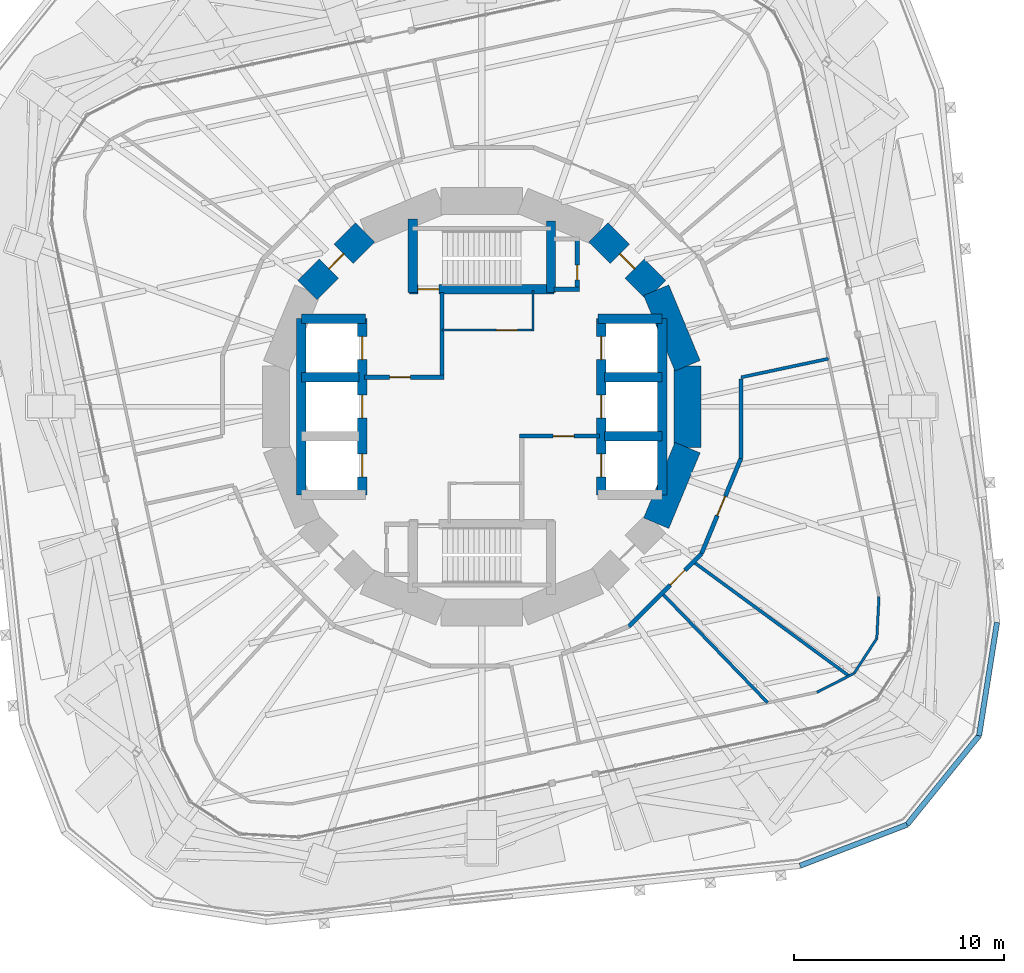
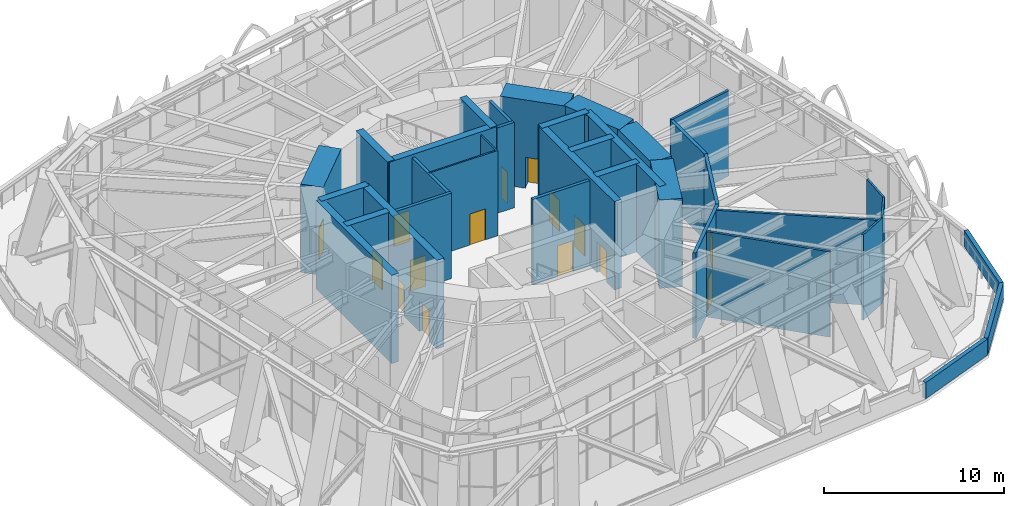
# One storey, part 16 of 23: 36 walls, 15 doors, 15 openings.
"""IFC4 building model written with IfcOpenShell, lengths in metres."""

from ifc_helpers import new_model, si_unit, direction, frame, frame_2d, origin, place, context, subcontext, project, spatial, rectangle, extrude, material, layer, layer_set, type_object, element, fill, save


model = new_model("IFC4")

# Units and contexts
model_context = context("Model", 3, precision=1e-05, world=origin(), true_north=direction((0.0, 1.0)))
body_context = subcontext(model_context, "Body", "Model", "MODEL_VIEW")
ifc_project = project(units=[si_unit("LENGTHUNIT", "METRE"), si_unit("AREAUNIT", "SQUARE_METRE"), si_unit("VOLUMEUNIT", "CUBIC_METRE"), si_unit("PLANEANGLEUNIT", "RADIAN"), si_unit("MASSUNIT", "GRAM", prefix="KILO")], contexts=[model_context])

# Site, building, storey
site_placement = place(None, origin())
site = spatial("IfcSite", under=ifc_project, at=site_placement, CompositionType="ELEMENT")
building_placement = place(site_placement, origin())
building = spatial("IfcBuilding", under=site, at=building_placement, Name="Nakasero Lantern House", CompositionType="ELEMENT")
storey_placement = place(building_placement, frame((0.0, 0.0, 95.14990234375)))
storey = spatial("IfcBuildingStorey", under=building, at=storey_placement, Name="L23", CompositionType="ELEMENT", Elevation=95.14990234375)

# Wall, openings, doors
ifc_material_1 = material(Name="Concrete C50/60", Category="concrete")
ifc_layer_1 = layer(ifc_material_1, 0.449951171875)
ifc_layer_set_1 = layer_set([ifc_layer_1], Name="Core inner wall 450")
wall_type_1 = type_object("IfcWallType", Name="Core inner wall 450", PredefinedType="SHEAR", material=ifc_layer_set_1)
wall_1_placement = place(storey_placement, frame((-5.699951171875, -4.199951171875, 0.0), z_axis=(0.0, 0.0, 1.0), x_axis=(0.0, 1.0, 0.0)))
wall_1 = element("IfcWall", 1, at=wall_1_placement, inside=storey, type_object=wall_type_1, Name="Core inner wall L23 LW", PredefinedType="SHEAR", context=body_context, shape_type="SweptSolid", body=[
    extrude(rectangle(XDim=8.39990234375, YDim=0.449951171875, at=frame_2d((4.199951171875, 0.0))), origin(), (0.0, 0.0, 1.0), 6.0),
])
opening_1_placement = place(wall_1_placement, frame((0.85009765625, 0.0, 0.0)))
opening_1 = element("IfcOpeningElement", 2, at=opening_1_placement, cuts=wall_1, Name="Opening LD", PredefinedType="OPENING", context=body_context, shape_type="SweptSolid", body=[
    extrude(rectangle(XDim=1.10009765625, YDim=2.10009765625, at=frame_2d((0.550048828125, 1.050048828125))), frame((0.0, 0.244873046875, 0.0), z_axis=(0.0, -1.0, 0.0), x_axis=(1.0, 0.0, 0.0)), (0.0, 0.0, 1.0), 0.489990234375),
])
opening_2_placement = place(wall_1_placement, frame((3.64990234375, 0.0, 0.0)))
opening_2 = element("IfcOpeningElement", 3, at=opening_2_placement, cuts=wall_1, Name="Opening LD", PredefinedType="OPENING", context=body_context, shape_type="SweptSolid", body=[
    extrude(rectangle(XDim=1.10009765625, YDim=2.10009765625, at=frame_2d((0.550048828125, 1.050048828125))), frame((0.0, 0.244873046875, 0.0), z_axis=(0.0, -1.0, 0.0), x_axis=(1.0, 0.0, 0.0)), (0.0, 0.0, 1.0), 0.489990234375),
])
opening_3_placement = place(wall_1_placement, frame((6.449951171875, 0.0, 0.0)))
opening_3 = element("IfcOpeningElement", 4, at=opening_3_placement, cuts=wall_1, Name="Opening LD", PredefinedType="OPENING", context=body_context, shape_type="SweptSolid", body=[
    extrude(rectangle(XDim=1.10009765625, YDim=2.10009765625, at=frame_2d((0.550048828125, 1.050048828125))), frame((0.0, 0.244873046875, 0.0), z_axis=(0.0, -1.0, 0.0), x_axis=(1.0, 0.0, 0.0)), (0.0, 0.0, 1.0), 0.489990234375),
])
ifc_material_2 = material(Name="Steel S355", Category="steel")
door_type_1 = type_object("IfcDoorType", Name="Lift landing door E120 1100", OperationType="SLIDING_TO_LEFT", PredefinedType="DOOR", material=ifc_material_2)
door_1_placement = place(opening_1_placement, origin())
door_1 = element("IfcDoor", 5, at=door_1_placement, inside=storey, type_object=door_type_1, Name="Lift landing door LW1", OperationType="SLIDING_TO_LEFT", OverallHeight=2.10009765625, OverallWidth=1.10009765625, PredefinedType="DOOR", context=body_context, shape_type="SweptSolid", body=[
    extrude(rectangle(XDim=1.10009765625, YDim=2.10009765625, at=frame_2d((0.550048828125, 1.050048828125))), frame((0.0, 0.02490234375, 0.0), z_axis=(0.0, -1.0, 0.0), x_axis=(1.0, 0.0, 0.0)), (0.0, 0.0, 1.0), 0.050048828125),
])
fill(opening_1, door_1)
door_2_placement = place(opening_2_placement, origin())
door_2 = element("IfcDoor", 6, at=door_2_placement, inside=storey, type_object=door_type_1, Name="Lift landing door LW2", OperationType="SLIDING_TO_LEFT", OverallHeight=2.10009765625, OverallWidth=1.10009765625, PredefinedType="DOOR", context=body_context, shape_type="SweptSolid", body=[
    extrude(rectangle(XDim=1.10009765625, YDim=2.10009765625, at=frame_2d((0.550048828125, 1.050048828125))), frame((0.0, 0.02490234375, 0.0), z_axis=(0.0, -1.0, 0.0), x_axis=(1.0, 0.0, 0.0)), (0.0, 0.0, 1.0), 0.050048828125),
])
fill(opening_2, door_2)
door_3_placement = place(opening_3_placement, origin())
door_3 = element("IfcDoor", 7, at=door_3_placement, inside=storey, type_object=door_type_1, Name="Lift landing door LW3", OperationType="SLIDING_TO_LEFT", OverallHeight=2.10009765625, OverallWidth=1.10009765625, PredefinedType="DOOR", context=body_context, shape_type="SweptSolid", body=[
    extrude(rectangle(XDim=1.10009765625, YDim=2.10009765625, at=frame_2d((0.550048828125, 1.050048828125))), frame((0.0, 0.02490234375, 0.0), z_axis=(0.0, -1.0, 0.0), x_axis=(1.0, 0.0, 0.0)), (0.0, 0.0, 1.0), 0.050048828125),
])
fill(opening_3, door_3)

wall_2_placement = place(storey_placement, frame((5.699951171875, -4.199951171875, 0.0), z_axis=(0.0, 0.0, 1.0), x_axis=(0.0, 1.0, 0.0)))
wall_2 = element("IfcWall", 8, at=wall_2_placement, inside=storey, type_object=wall_type_1, Name="Core inner wall L23 LE", PredefinedType="SHEAR", context=body_context, shape_type="SweptSolid", body=[
    extrude(rectangle(XDim=8.39990234375, YDim=0.449951171875, at=frame_2d((4.199951171875, 0.0))), origin(), (0.0, 0.0, 1.0), 6.0),
])
opening_4_placement = place(wall_2_placement, frame((0.85009765625, 0.0, 0.0)))
opening_4 = element("IfcOpeningElement", 9, at=opening_4_placement, cuts=wall_2, Name="Opening LD", PredefinedType="OPENING", context=body_context, shape_type="SweptSolid", body=[
    extrude(rectangle(XDim=1.10009765625, YDim=2.10009765625, at=frame_2d((0.550048828125, 1.050048828125))), frame((0.0, 0.244873046875, 0.0), z_axis=(0.0, -1.0, 0.0), x_axis=(1.0, 0.0, 0.0)), (0.0, 0.0, 1.0), 0.489990234375),
])
opening_5_placement = place(wall_2_placement, frame((3.64990234375, 0.0, 0.0)))
opening_5 = element("IfcOpeningElement", 10, at=opening_5_placement, cuts=wall_2, Name="Opening LD", PredefinedType="OPENING", context=body_context, shape_type="SweptSolid", body=[
    extrude(rectangle(XDim=1.10009765625, YDim=2.10009765625, at=frame_2d((0.550048828125, 1.050048828125))), frame((0.0, 0.244873046875, 0.0), z_axis=(0.0, -1.0, 0.0), x_axis=(1.0, 0.0, 0.0)), (0.0, 0.0, 1.0), 0.489990234375),
])
opening_6_placement = place(wall_2_placement, frame((6.449951171875, 0.0, 0.0)))
opening_6 = element("IfcOpeningElement", 11, at=opening_6_placement, cuts=wall_2, Name="Opening LD", PredefinedType="OPENING", context=body_context, shape_type="SweptSolid", body=[
    extrude(rectangle(XDim=1.10009765625, YDim=2.10009765625, at=frame_2d((0.550048828125, 1.050048828125))), frame((0.0, 0.244873046875, 0.0), z_axis=(0.0, -1.0, 0.0), x_axis=(1.0, 0.0, 0.0)), (0.0, 0.0, 1.0), 0.489990234375),
])
door_4_placement = place(opening_4_placement, origin())
door_4 = element("IfcDoor", 12, at=door_4_placement, inside=storey, type_object=door_type_1, Name="Lift landing door LE1", OperationType="SLIDING_TO_LEFT", OverallHeight=2.10009765625, OverallWidth=1.10009765625, PredefinedType="DOOR", context=body_context, shape_type="SweptSolid", body=[
    extrude(rectangle(XDim=1.10009765625, YDim=2.10009765625, at=frame_2d((0.550048828125, 1.050048828125))), frame((0.0, 0.02490234375, 0.0), z_axis=(0.0, -1.0, 0.0), x_axis=(1.0, 0.0, 0.0)), (0.0, 0.0, 1.0), 0.050048828125),
])
fill(opening_4, door_4)
door_5_placement = place(opening_5_placement, origin())
door_5 = element("IfcDoor", 13, at=door_5_placement, inside=storey, type_object=door_type_1, Name="Lift landing door LE2", OperationType="SLIDING_TO_LEFT", OverallHeight=2.10009765625, OverallWidth=1.10009765625, PredefinedType="DOOR", context=body_context, shape_type="SweptSolid", body=[
    extrude(rectangle(XDim=1.10009765625, YDim=2.10009765625, at=frame_2d((0.550048828125, 1.050048828125))), frame((0.0, 0.02490234375, 0.0), z_axis=(0.0, -1.0, 0.0), x_axis=(1.0, 0.0, 0.0)), (0.0, 0.0, 1.0), 0.050048828125),
])
fill(opening_5, door_5)
door_6_placement = place(opening_6_placement, origin())
door_6 = element("IfcDoor", 14, at=door_6_placement, inside=storey, type_object=door_type_1, Name="Lift landing door LE3", OperationType="SLIDING_TO_LEFT", OverallHeight=2.10009765625, OverallWidth=1.10009765625, PredefinedType="DOOR", context=body_context, shape_type="SweptSolid", body=[
    extrude(rectangle(XDim=1.10009765625, YDim=2.10009765625, at=frame_2d((0.550048828125, 1.050048828125))), frame((0.0, 0.02490234375, 0.0), z_axis=(0.0, -1.0, 0.0), x_axis=(1.0, 0.0, 0.0)), (0.0, 0.0, 1.0), 0.050048828125),
])
fill(opening_6, door_6)

# Walls
for number, where, z_axis, x_axis, name in (
    (15, (-8.60009765625, 4.199951171875, 0.0), (0.0, 0.0, 1.0), (1.0, 0.0, 0.0), "Core inner wall L23 LWN"),
    (16, (5.550048828125, 4.199951171875, 0.0), (0.0, 0.0, 1.0), (1.0, 0.0, 0.0), "Core inner wall L23 LEN"),
):
    element("IfcWall", number, at=place(storey_placement, frame(where, z_axis=z_axis, x_axis=x_axis)), inside=storey, type_object=wall_type_1, Name=name, PredefinedType="SHEAR", context=body_context, shape_type="SweptSolid", body=[
        extrude(rectangle(XDim=3.050048828125, YDim=0.449951171875, at=frame_2d((1.52490234375, 0.0))), origin(), (0.0, 0.0, 1.0), 6.0),
    ])
for number, where, z_axis, x_axis, name in (
    (17, (-8.60009765625, -4.199951171875, 0.0), (0.0, 0.0, 1.0), (0.0, 1.0, 0.0), "Core inner wall L23 LWB"),
    (18, (8.60009765625, -4.199951171875, 0.0), (0.0, 0.0, 1.0), (0.0, 1.0, 0.0), "Core inner wall L23 LEB"),
):
    element("IfcWall", number, at=place(storey_placement, frame(where, z_axis=z_axis, x_axis=x_axis)), inside=storey, type_object=wall_type_1, Name=name, PredefinedType="SHEAR", context=body_context, shape_type="SweptSolid", body=[
        extrude(rectangle(XDim=8.39990234375, YDim=0.449951171875, at=frame_2d((4.199951171875, 0.0))), origin(), (0.0, 0.0, 1.0), 6.0),
    ])
for number, where, z_axis, x_axis, name in (
    (19, (-8.60009765625, 1.39990234375, 0.0), (0.0, 0.0, 1.0), (1.0, 0.0, 0.0), "Core inner wall L23 LW2"),
    (20, (5.85009765625, -1.39990234375, 0.0), (0.0, 0.0, 1.0), (1.0, 0.0, 0.0), "Core inner wall L23 LE1"),
    (21, (5.85009765625, 1.39990234375, 0.0), (0.0, 0.0, 1.0), (1.0, 0.0, 0.0), "Core inner wall L23 LE2"),
):
    element("IfcWall", number, at=place(storey_placement, frame(where, z_axis=z_axis, x_axis=x_axis)), inside=storey, type_object=wall_type_1, Name=name, PredefinedType="SHEAR", context=body_context, shape_type="SweptSolid", body=[
        extrude(rectangle(XDim=2.75, YDim=0.449951171875, at=frame_2d((1.375, 0.0))), origin(), (0.0, 0.0, 1.0), 6.0),
    ])

# Wall, opening, door
wall_3_placement = place(storey_placement, frame((-3.449951171875, 5.60009765625, 0.0), z_axis=(0.0, 0.0, 1.0), x_axis=(1.0, 0.0, 0.0)))
wall_3 = element("IfcWall", 22, at=wall_3_placement, inside=storey, type_object=wall_type_1, Name="Core inner wall L23 SN", PredefinedType="SHEAR", context=body_context, shape_type="SweptSolid", body=[
    extrude(rectangle(XDim=6.89990234375, YDim=0.449951171875, at=frame_2d((3.449951171875, 0.0))), origin(), (0.0, 0.0, 1.0), 6.0),
])
opening_7_placement = place(wall_3_placement, frame((0.39990234375, 0.0, 0.0)))
opening_7 = element("IfcOpeningElement", 23, at=opening_7_placement, cuts=wall_3, Name="Opening D05", PredefinedType="OPENING", context=body_context, shape_type="SweptSolid", body=[
    extrude(rectangle(XDim=1.0, YDim=2.10009765625, at=frame_2d((0.5, 1.050048828125))), frame((0.0, 0.244873046875, 0.0), z_axis=(0.0, -1.0, 0.0), x_axis=(1.0, 0.0, 0.0)), (0.0, 0.0, 1.0), 0.489990234375),
])
ifc_material_3 = material(Name="Timber C24", Category="wood")
door_type_2 = type_object("IfcDoorType", Name="Core door FD60S 1000", OperationType="SINGLE_SWING_LEFT", PredefinedType="DOOR", material=ifc_material_3)
door_7_placement = place(opening_7_placement, origin())
door_7 = element("IfcDoor", 24, at=door_7_placement, inside=storey, type_object=door_type_2, Name="Door L23 D-ST1", OperationType="SINGLE_SWING_LEFT", OverallHeight=2.10009765625, OverallWidth=1.0, PredefinedType="DOOR", context=body_context, shape_type="SweptSolid", body=[
    extrude(rectangle(XDim=1.0, YDim=2.10009765625, at=frame_2d((0.5, 1.050048828125))), frame((0.0, 0.02490234375, 0.0), z_axis=(0.0, -1.0, 0.0), x_axis=(1.0, 0.0, 0.0)), (0.0, 0.0, 1.0), 0.050048828125),
])
fill(opening_7, door_7)

# Walls
wall_4_placement = place(storey_placement, frame((-3.300048828125, 5.449951171875, 0.0), z_axis=(0.0, 0.0, 1.0), x_axis=(0.0, 1.0, 0.0)))
element("IfcWall", 25, at=wall_4_placement, inside=storey, type_object=wall_type_1, Name="Core inner wall L23 SNW", PredefinedType="SHEAR", context=body_context, shape_type="SweptSolid", body=[
    extrude(rectangle(XDim=3.5, YDim=0.449951171875, at=frame_2d((1.75, 0.0))), origin(), (0.0, 0.0, 1.0), 6.0),
])
wall_5_placement = place(storey_placement, frame((3.300048828125, 5.449951171875, 0.0), z_axis=(0.0, 0.0, 1.0), x_axis=(0.0, 1.0, 0.0)))
element("IfcWall", 26, at=wall_5_placement, inside=storey, type_object=wall_type_1, Name="Core inner wall L23 SNE", PredefinedType="SHEAR", context=body_context, shape_type="SweptSolid", body=[
    extrude(rectangle(XDim=3.400146484375, YDim=0.449951171875, at=frame_2d((1.7001953125, 0.0))), origin(), (0.0, 0.0, 1.0), 6.0),
])

# Wall, opening, door
ifc_material_4 = material(Name="Blockwork", Category="masonry")
ifc_layer_2 = layer(ifc_material_4, 0.10009765625)
ifc_layer_set_2 = layer_set([ifc_layer_2], Name="Core room wall 100")
wall_type_2 = type_object("IfcWallType", Name="Core room wall 100", PredefinedType="PARTITIONING", material=ifc_layer_set_2)
wall_6_placement = place(storey_placement, frame((-1.89990234375, 3.64990234375, 0.0), z_axis=(0.0, 0.0, 1.0), x_axis=(1.0, 0.0, 0.0)))
wall_6 = element("IfcWall", 27, at=wall_6_placement, inside=storey, type_object=wall_type_2, Name="Core room wall L23 CR-NES", PredefinedType="PARTITIONING", context=body_context, shape_type="SweptSolid", body=[
    extrude(rectangle(XDim=4.39990234375, YDim=0.10009765625, at=frame_2d((2.199951171875, 0.0))), origin(), (0.0, 0.0, 1.0), 5.800048828125),
])
opening_8_placement = place(wall_6_placement, frame((2.60009765625, 0.0, 0.0)))
opening_8 = element("IfcOpeningElement", 28, at=opening_8_placement, cuts=wall_6, Name="Opening D07", PredefinedType="OPENING", context=body_context, shape_type="SweptSolid", body=[
    extrude(rectangle(XDim=1.0, YDim=2.10009765625, at=frame_2d((0.5, 1.050048828125))), frame((0.0, 0.070068359375, 0.0), z_axis=(0.0, -1.0, 0.0), x_axis=(1.0, 0.0, 0.0)), (0.0, 0.0, 1.0), 0.14013671875),
])
ifc_material_5 = material(Name="Timber C24", Category="wood")
door_type_3 = type_object("IfcDoorType", Name="Room door FD30S 1000", OperationType="SINGLE_SWING_LEFT", PredefinedType="DOOR", material=ifc_material_5)
door_8_placement = place(opening_8_placement, origin())
door_8 = element("IfcDoor", 29, at=door_8_placement, inside=storey, type_object=door_type_3, Name="Door L23 D-CR-NE", OperationType="SINGLE_SWING_RIGHT", OverallHeight=2.10009765625, OverallWidth=1.0, PredefinedType="DOOR", context=body_context, shape_type="SweptSolid", body=[
    extrude(rectangle(XDim=1.0, YDim=2.10009765625, at=frame_2d((0.5, 1.050048828125))), frame((0.0, 0.02490234375, 0.0), z_axis=(0.0, -1.0, 0.0), x_axis=(1.0, 0.0, 0.0)), (0.0, 0.0, 1.0), 0.050048828125),
])
fill(opening_8, door_8)

# Walls
wall_7_placement = place(storey_placement, frame((2.449951171875, 3.60009765625, 0.0), z_axis=(0.0, 0.0, 1.0), x_axis=(0.0, 1.0, 0.0)))
element("IfcWall", 30, at=wall_7_placement, inside=storey, type_object=wall_type_2, Name="Core room wall L23 CR-NEE", PredefinedType="PARTITIONING", context=body_context, shape_type="SweptSolid", body=[
    extrude(rectangle(XDim=1.949951171875, YDim=0.10009765625, at=frame_2d((0.97509765625, 0.0))), origin(), (0.0, 0.0, 1.0), 5.800048828125),
])
ifc_material_6 = material(Name="Concrete C50/60", Category="concrete")
ifc_layer_3 = layer(ifc_material_6, 1.300048828125)
ifc_layer_set_3 = layer_set([ifc_layer_3], Name="Core wall 1300")
wall_type_3 = type_object("IfcWallType", Name="Core wall 1300", PredefinedType="SHEAR", material=ifc_layer_set_3)
wall_8_placement = place(storey_placement, frame((9.807861328125, 1.950927734375, 0.0), z_axis=(0.0, 0.0, 1.0), x_axis=(-0.382690736062, 0.923876507187, 0.0)))
element("IfcWall", 31, at=wall_8_placement, inside=storey, type_object=wall_type_3, Name="Core wall L23 facet 1", PredefinedType="SHEAR", context=body_context, shape_type="SweptSolid", body=[
    extrude(rectangle(XDim=3.90185546875, YDim=1.300048828125, at=frame_2d((1.950927734375, 0.0))), origin(), (0.0, 0.0, 1.0), 6.0),
])

# Wall, opening, door
wall_9_placement = place(storey_placement, frame((8.314697265625, 5.5556640625, 0.0), z_axis=(0.0, 0.0, 1.0), x_axis=(-0.707106781187, 0.707106781187, 0.0)))
wall_9 = element("IfcWall", 32, at=wall_9_placement, inside=storey, type_object=wall_type_3, Name="Core wall L23 facet 2", PredefinedType="SHEAR", context=body_context, shape_type="SweptSolid", body=[
    extrude(rectangle(XDim=3.90185546875, YDim=1.300048828125, at=frame_2d((1.950927734375, 0.0))), origin(), (0.0, 0.0, 1.0), 6.0),
])
opening_9_placement = place(wall_9_placement, frame((1.450927734375, 0.0, 0.0)))
opening_9 = element("IfcOpeningElement", 33, at=opening_9_placement, cuts=wall_9, Name="Opening D05", PredefinedType="OPENING", context=body_context, shape_type="SweptSolid", body=[
    extrude(rectangle(XDim=1.0, YDim=2.10009765625, at=frame_2d((0.5, 1.050048828125))), frame((0.0, 0.669921875, 0.0), z_axis=(0.0, -1.0, 0.0), x_axis=(1.0, 0.0, 0.0)), (0.0, 0.0, 1.0), 1.340087890625),
])
door_9_placement = place(opening_9_placement, origin())
door_9 = element("IfcDoor", 34, at=door_9_placement, inside=storey, type_object=door_type_2, Name="Door L23 D-CORE02", OperationType="SINGLE_SWING_LEFT", OverallHeight=2.10009765625, OverallWidth=1.0, PredefinedType="DOOR", context=body_context, shape_type="SweptSolid", body=[
    extrude(rectangle(XDim=1.0, YDim=2.10009765625, at=frame_2d((0.5, 1.050048828125))), frame((0.0, 0.02490234375, 0.0), z_axis=(0.0, -1.0, 0.0), x_axis=(1.0, 0.0, 0.0)), (0.0, 0.0, 1.0), 0.050048828125),
])
fill(opening_9, door_9)

wall_10_placement = place(storey_placement, frame((-5.5556640625, 8.314697265625, 0.0), z_axis=(0.0, 0.0, 1.0), x_axis=(-0.707106781187, -0.707106781187, 0.0)))
wall_10 = element("IfcWall", 35, at=wall_10_placement, inside=storey, type_object=wall_type_3, Name="Core wall L23 facet 6", PredefinedType="SHEAR", context=body_context, shape_type="SweptSolid", body=[
    extrude(rectangle(XDim=3.90185546875, YDim=1.300048828125, at=frame_2d((1.950927734375, 0.0))), origin(), (0.0, 0.0, 1.0), 6.0),
])
opening_10_placement = place(wall_10_placement, frame((1.450927734375, 0.0, 0.0)))
opening_10 = element("IfcOpeningElement", 36, at=opening_10_placement, cuts=wall_10, Name="Opening D05", PredefinedType="OPENING", context=body_context, shape_type="SweptSolid", body=[
    extrude(rectangle(XDim=1.0, YDim=2.10009765625, at=frame_2d((0.5, 1.050048828125))), frame((0.0, 0.669921875, 0.0), z_axis=(0.0, -1.0, 0.0), x_axis=(1.0, 0.0, 0.0)), (0.0, 0.0, 1.0), 1.340087890625),
])
door_10_placement = place(opening_10_placement, origin())
door_10 = element("IfcDoor", 37, at=door_10_placement, inside=storey, type_object=door_type_2, Name="Door L23 D-CORE06", OperationType="SINGLE_SWING_LEFT", OverallHeight=2.10009765625, OverallWidth=1.0, PredefinedType="DOOR", context=body_context, shape_type="SweptSolid", body=[
    extrude(rectangle(XDim=1.0, YDim=2.10009765625, at=frame_2d((0.5, 1.050048828125))), frame((0.0, 0.02490234375, 0.0), z_axis=(0.0, -1.0, 0.0), x_axis=(1.0, 0.0, 0.0)), (0.0, 0.0, 1.0), 0.050048828125),
])
fill(opening_10, door_10)

# Walls
for number, where, z_axis, x_axis, name in (
    (38, (8.314697265625, -5.5556640625, 0.0), (0.0, 0.0, 1.0), (0.382690736062, 0.923876507187, 0.0), "Core wall L23 facet 15"),
    (39, (9.807861328125, -1.950927734375, 0.0), (0.0, 0.0, 1.0), (0.0, 1.0, 0.0), "Core wall L23 facet 16"),
):
    element("IfcWall", number, at=place(storey_placement, frame(where, z_axis=z_axis, x_axis=x_axis)), inside=storey, type_object=wall_type_3, Name=name, PredefinedType="SHEAR", context=body_context, shape_type="SweptSolid", body=[
        extrude(rectangle(XDim=3.90185546875, YDim=1.300048828125, at=frame_2d((1.950927734375, 0.0))), origin(), (0.0, 0.0, 1.0), 6.0),
    ])
ifc_material_7 = material(Name="Blockwork", Category="masonry")
ifc_layer_4 = layer(ifc_material_7, 0.199951171875)
ifc_layer_set_4 = layer_set([ifc_layer_4], Name="Corridor wall 200")
wall_type_4 = type_object("IfcWallType", Name="Corridor wall 200", PredefinedType="PARTITIONING", material=ifc_layer_set_4)
wall_11_placement = place(storey_placement, frame((12.35791015625, 1.3232421875, 0.0), z_axis=(0.0, 0.0, 1.0), x_axis=(0.0, -1.0, 0.0)))
element("IfcWall", 40, at=wall_11_placement, inside=storey, type_object=wall_type_4, Name="Corridor wall L23 TC00", PredefinedType="PARTITIONING", context=body_context, shape_type="SweptSolid", body=[
    extrude(rectangle(XDim=3.78125, YDim=0.199951171875, at=frame_2d((1.890625, 0.0))), origin(), (0.0, 0.0, 1.0), 5.800048828125),
])

# Wall, opening, door
wall_12_placement = place(storey_placement, frame((12.35791015625, -2.4580078125, 0.0), z_axis=(0.0, 0.0, 1.0), x_axis=(-0.382664641492, -0.923887315722, 0.0)))
wall_12 = element("IfcWall", 41, at=wall_12_placement, inside=storey, type_object=wall_type_4, Name="Corridor wall L23 TC01", PredefinedType="PARTITIONING", context=body_context, shape_type="SweptSolid", body=[
    extrude(rectangle(XDim=4.91650390625, YDim=0.199951171875, at=frame_2d((2.458251953125, 0.0))), origin(), (0.0, 0.0, 1.0), 5.800048828125),
])
opening_11_placement = place(wall_12_placement, frame((1.958251953125, 0.0, 0.0)))
opening_11 = element("IfcOpeningElement", 42, at=opening_11_placement, cuts=wall_12, Name="Opening D07", PredefinedType="OPENING", context=body_context, shape_type="SweptSolid", body=[
    extrude(rectangle(XDim=1.0, YDim=2.10009765625, at=frame_2d((0.5, 1.050048828125))), frame((0.0, 0.119873046875, 0.0), z_axis=(0.0, -1.0, 0.0), x_axis=(1.0, 0.0, 0.0)), (0.0, 0.0, 1.0), 0.239990234375),
])
door_11_placement = place(opening_11_placement, origin())
door_11 = element("IfcDoor", 43, at=door_11_placement, inside=storey, type_object=door_type_3, Name="Door L23 TDR32", OperationType="SINGLE_SWING_RIGHT", OverallHeight=2.10009765625, OverallWidth=1.0, PredefinedType="DOOR", context=body_context, shape_type="SweptSolid", body=[
    extrude(rectangle(XDim=1.0, YDim=2.10009765625, at=frame_2d((0.5, 1.050048828125))), frame((0.0, 0.02490234375, 0.0), z_axis=(0.0, -1.0, 0.0), x_axis=(1.0, 0.0, 0.0)), (0.0, 0.0, 1.0), 0.050048828125),
])
fill(opening_11, door_11)

wall_13_placement = place(storey_placement, frame((10.4765625, -7.000244140625, 0.0), z_axis=(0.0, 0.0, 1.0), x_axis=(-0.707106781187, -0.707106781187, 0.0)))
wall_13 = element("IfcWall", 44, at=wall_13_placement, inside=storey, type_object=wall_type_4, Name="Corridor wall L23 TC02", PredefinedType="PARTITIONING", context=body_context, shape_type="SweptSolid", body=[
    extrude(rectangle(XDim=4.916259765625, YDim=0.199951171875, at=frame_2d((2.4580078125, 0.0))), origin(), (0.0, 0.0, 1.0), 5.800048828125),
])
opening_12_placement = place(wall_13_placement, frame((1.1142578125, 0.0, 0.0)))
opening_12 = element("IfcOpeningElement", 45, at=opening_12_placement, cuts=wall_13, Name="Opening D07", PredefinedType="OPENING", context=body_context, shape_type="SweptSolid", body=[
    extrude(rectangle(XDim=1.0, YDim=2.10009765625, at=frame_2d((0.5, 1.050048828125))), frame((0.0, 0.119873046875, 0.0), z_axis=(0.0, -1.0, 0.0), x_axis=(1.0, 0.0, 0.0)), (0.0, 0.0, 1.0), 0.239990234375),
])
door_12_placement = place(opening_12_placement, origin())
door_12 = element("IfcDoor", 46, at=door_12_placement, inside=storey, type_object=door_type_3, Name="Door L23 TDR31", OperationType="SINGLE_SWING_LEFT", OverallHeight=2.10009765625, OverallWidth=1.0, PredefinedType="DOOR", context=body_context, shape_type="SweptSolid", body=[
    extrude(rectangle(XDim=1.0, YDim=2.10009765625, at=frame_2d((0.5, 1.050048828125))), frame((0.0, 0.02490234375, 0.0), z_axis=(0.0, -1.0, 0.0), x_axis=(1.0, 0.0, 0.0)), (0.0, 0.0, 1.0), 0.050048828125),
])
fill(opening_12, door_12)

ifc_material_8 = material(Name="Blockwork", Category="masonry")
ifc_layer_5 = layer(ifc_material_8, 0.199951171875)
ifc_layer_set_5 = layer_set([ifc_layer_5], Name="Fire lobby wall 200")
wall_type_5 = type_object("IfcWallType", Name="Fire lobby wall 200", PredefinedType="PARTITIONING", material=ifc_layer_set_5)
wall_14_placement = place(storey_placement, frame((-5.60009765625, 1.39990234375, 0.0), z_axis=(0.0, 0.0, 1.0), x_axis=(1.0, 0.0, 0.0)))
wall_14 = element("IfcWall", 47, at=wall_14_placement, inside=storey, type_object=wall_type_5, Name="Fire lobby wall L23 W-FL1S", PredefinedType="PARTITIONING", context=body_context, shape_type="SweptSolid", body=[
    extrude(rectangle(XDim=3.800048828125, YDim=0.199951171875, at=frame_2d((1.89990234375, 0.0))), origin(), (0.0, 0.0, 1.0), 5.800048828125),
])
opening_13_placement = place(wall_14_placement, frame((1.199951171875, 0.0, 0.0)))
opening_13 = element("IfcOpeningElement", 48, at=opening_13_placement, cuts=wall_14, Name="Opening D05", PredefinedType="OPENING", context=body_context, shape_type="SweptSolid", body=[
    extrude(rectangle(XDim=1.0, YDim=2.10009765625, at=frame_2d((0.5, 1.050048828125))), frame((0.0, 0.119873046875, 0.0), z_axis=(0.0, -1.0, 0.0), x_axis=(1.0, 0.0, 0.0)), (0.0, 0.0, 1.0), 0.239990234375),
])
door_13_placement = place(opening_13_placement, origin())
door_13 = element("IfcDoor", 49, at=door_13_placement, inside=storey, type_object=door_type_2, Name="Door L23 D-FL1", OperationType="SINGLE_SWING_LEFT", OverallHeight=2.10009765625, OverallWidth=1.0, PredefinedType="DOOR", context=body_context, shape_type="SweptSolid", body=[
    extrude(rectangle(XDim=1.0, YDim=2.10009765625, at=frame_2d((0.5, 1.050048828125))), frame((0.0, 0.02490234375, 0.0), z_axis=(0.0, -1.0, 0.0), x_axis=(1.0, 0.0, 0.0)), (0.0, 0.0, 1.0), 0.050048828125),
])
fill(opening_13, door_13)

# Wall
wall_15_placement = place(storey_placement, frame((-1.89990234375, 1.5, 0.0), z_axis=(0.0, 0.0, 1.0), x_axis=(0.0, 1.0, 0.0)))
element("IfcWall", 50, at=wall_15_placement, inside=storey, type_object=wall_type_5, Name="Fire lobby wall L23 W-FL1E", PredefinedType="PARTITIONING", context=body_context, shape_type="SweptSolid", body=[
    extrude(rectangle(XDim=3.949951171875, YDim=0.199951171875, at=frame_2d((1.97509765625, 0.0))), origin(), (0.0, 0.0, 1.0), 5.800048828125),
])

# Wall, opening, door
wall_16_placement = place(storey_placement, frame((5.60009765625, -1.39990234375, 0.0), z_axis=(0.0, 0.0, 1.0), x_axis=(-1.0, 0.0, 0.0)))
wall_16 = element("IfcWall", 51, at=wall_16_placement, inside=storey, type_object=wall_type_5, Name="Fire lobby wall L23 W-FL2N", PredefinedType="PARTITIONING", context=body_context, shape_type="SweptSolid", body=[
    extrude(rectangle(XDim=3.800048828125, YDim=0.199951171875, at=frame_2d((1.89990234375, 0.0))), origin(), (0.0, 0.0, 1.0), 5.800048828125),
])
opening_14_placement = place(wall_16_placement, frame((1.199951171875, 0.0, 0.0)))
opening_14 = element("IfcOpeningElement", 52, at=opening_14_placement, cuts=wall_16, Name="Opening D05", PredefinedType="OPENING", context=body_context, shape_type="SweptSolid", body=[
    extrude(rectangle(XDim=1.0, YDim=2.10009765625, at=frame_2d((0.5, 1.050048828125))), frame((0.0, 0.119873046875, 0.0), z_axis=(0.0, -1.0, 0.0), x_axis=(1.0, 0.0, 0.0)), (0.0, 0.0, 1.0), 0.239990234375),
])
door_14_placement = place(opening_14_placement, origin())
door_14 = element("IfcDoor", 53, at=door_14_placement, inside=storey, type_object=door_type_2, Name="Door L23 D-FL2", OperationType="SINGLE_SWING_LEFT", OverallHeight=2.10009765625, OverallWidth=1.0, PredefinedType="DOOR", context=body_context, shape_type="SweptSolid", body=[
    extrude(rectangle(XDim=1.0, YDim=2.10009765625, at=frame_2d((0.5, 1.050048828125))), frame((0.0, 0.02490234375, 0.0), z_axis=(0.0, -1.0, 0.0), x_axis=(1.0, 0.0, 0.0)), (0.0, 0.0, 1.0), 0.050048828125),
])
fill(opening_14, door_14)

wall_17_placement = place(storey_placement, frame((4.550048828125, 5.60009765625, 0.0), z_axis=(0.0, 0.0, 1.0), x_axis=(0.0, 1.0, 0.0)))
wall_17 = element("IfcWall", 54, at=wall_17_placement, inside=storey, type_object=wall_type_5, Name="Fire lobby wall L23 W-RS1E", PredefinedType="PARTITIONING", context=body_context, shape_type="SweptSolid", body=[
    extrude(rectangle(XDim=2.39990234375, YDim=0.199951171875, at=frame_2d((1.199951171875, 0.0))), origin(), (0.0, 0.0, 1.0), 5.800048828125),
])
opening_15_placement = place(wall_17_placement, frame((0.449951171875, 0.0, 0.0)))
opening_15 = element("IfcOpeningElement", 55, at=opening_15_placement, cuts=wall_17, Name="Opening D06", PredefinedType="OPENING", context=body_context, shape_type="SweptSolid", body=[
    extrude(rectangle(XDim=0.699951171875, YDim=2.10009765625, at=frame_2d((0.35009765625, 1.050048828125))), frame((0.0, 0.119873046875, 0.0), z_axis=(0.0, -1.0, 0.0), x_axis=(1.0, 0.0, 0.0)), (0.0, 0.0, 1.0), 0.239990234375),
])
ifc_material_9 = material(Name="Steel S355", Category="steel")
door_type_4 = type_object("IfcDoorType", Name="Riser door FD60 700", OperationType="SINGLE_SWING_LEFT", PredefinedType="DOOR", material=ifc_material_9)
door_15_placement = place(opening_15_placement, origin())
door_15 = element("IfcDoor", 56, at=door_15_placement, inside=storey, type_object=door_type_4, Name="Door L23 D-RS1", OperationType="SINGLE_SWING_LEFT", OverallHeight=2.10009765625, OverallWidth=0.699951171875, PredefinedType="DOOR", context=body_context, shape_type="SweptSolid", body=[
    extrude(rectangle(XDim=0.699951171875, YDim=2.10009765625, at=frame_2d((0.35009765625, 1.050048828125))), frame((0.0, 0.02490234375, 0.0), z_axis=(0.0, -1.0, 0.0), x_axis=(1.0, 0.0, 0.0)), (0.0, 0.0, 1.0), 0.050048828125),
])
fill(opening_15, door_15)

# Walls
wall_18_placement = place(storey_placement, frame((3.449951171875, 5.60009765625, 0.0), z_axis=(0.0, 0.0, 1.0), x_axis=(1.0, 0.0, 0.0)))
element("IfcWall", 57, at=wall_18_placement, inside=storey, type_object=wall_type_5, Name="Fire lobby wall L23 W-RS1S", PredefinedType="PARTITIONING", context=body_context, shape_type="SweptSolid", body=[
    extrude(rectangle(XDim=1.199951171875, YDim=0.199951171875, at=frame_2d((0.60009765625, 0.0))), origin(), (0.0, 0.0, 1.0), 5.800048828125),
])
ifc_material_10 = material(Name="Aluminium 6063-T6 and glass", Category="aluminium")
ifc_layer_6 = layer(ifc_material_10, 0.1201171875)
ifc_layer_set_6 = layer_set([ifc_layer_6], Name="Glazed screen 120")
wall_type_6 = type_object("IfcWallType", Name="Glazed screen 120", PredefinedType="PARTITIONING", material=ifc_layer_set_6)
wall_19_placement = place(storey_placement, frame((15.979736328125, -13.61376953125, 0.0), z_axis=(0.0, 0.0, 1.0), x_axis=(0.89098510204, 0.45403254062, 0.0)))
element("IfcWall", 58, at=wall_19_placement, inside=storey, type_object=wall_type_6, Name="Glazed screen L23 WG3C1", PredefinedType="PARTITIONING", context=body_context, shape_type="SweptSolid", body=[
    extrude(rectangle(XDim=1.98681640625, YDim=0.1201171875, at=frame_2d((0.993408203125, 0.0))), origin(), (0.0, 0.0, 1.0), 5.800048828125),
])
wall_20_placement = place(storey_placement, frame((17.75, -12.711669921875, 0.0), z_axis=(0.0, 0.0, 1.0), x_axis=(0.544651459157, 0.838662499482, 0.0)))
element("IfcWall", 59, at=wall_20_placement, inside=storey, type_object=wall_type_6, Name="Glazed screen L23 WG3C2", PredefinedType="PARTITIONING", context=body_context, shape_type="SweptSolid", body=[
    extrude(rectangle(XDim=1.987060546875, YDim=0.1201171875, at=frame_2d((0.99365234375, 0.0))), origin(), (0.0, 0.0, 1.0), 5.800048828125),
])
wall_21_placement = place(storey_placement, frame((18.832275390625, -11.045166015625, 0.0), z_axis=(0.0, 0.0, 1.0), x_axis=(0.052346001908, 0.998629008233, 0.0)))
element("IfcWall", 60, at=wall_21_placement, inside=storey, type_object=wall_type_6, Name="Glazed screen L23 WG3C3", PredefinedType="PARTITIONING", context=body_context, shape_type="SweptSolid", body=[
    extrude(rectangle(XDim=1.98681640625, YDim=0.1201171875, at=frame_2d((0.993408203125, 0.0))), origin(), (0.0, 0.0, 1.0), 5.800048828125),
])
ifc_material_11 = material(Name="Concrete C35/45", Category="concrete")
ifc_layer_7 = layer(ifc_material_11, 0.25)
ifc_layer_set_7 = layer_set([ifc_layer_7], Name="Parapet 250")
wall_type_7 = type_object("IfcWallType", Name="Parapet 250", PredefinedType="SOLIDWALL", material=ifc_layer_set_7)
wall_22_placement = place(storey_placement, frame((15.170654296875, -21.884033203125, 0.0), z_axis=(0.0, 0.0, 1.0), x_axis=(0.933583906079, 0.358358884793, 0.0)))
element("IfcWall", 61, at=wall_22_placement, inside=storey, type_object=wall_type_7, Name="Parapet L23 PP3C1", PredefinedType="SOLIDWALL", context=body_context, shape_type="SweptSolid", body=[
    extrude(rectangle(XDim=5.461181640625, YDim=0.25, at=frame_2d((2.73046875, 0.0))), origin(), (0.0, 0.0, 1.0), 1.10009765625),
])
wall_23_placement = place(storey_placement, frame((20.26904296875, -19.927001953125, 0.0), z_axis=(0.0, 0.0, 1.0), x_axis=(0.629334543442, 0.777134500863, 0.0)))
element("IfcWall", 62, at=wall_23_placement, inside=storey, type_object=wall_type_7, Name="Parapet L23 PP3C2", PredefinedType="SOLIDWALL", context=body_context, shape_type="SweptSolid", body=[
    extrude(rectangle(XDim=5.4609375, YDim=0.25, at=frame_2d((2.73046875, 0.0))), origin(), (0.0, 0.0, 1.0), 1.10009765625),
])
wall_24_placement = place(storey_placement, frame((23.705810546875, -15.68310546875, 0.0), z_axis=(0.0, 0.0, 1.0), x_axis=(0.156419383601, 0.987690729142, 0.0)))
element("IfcWall", 63, at=wall_24_placement, inside=storey, type_object=wall_type_7, Name="Parapet L23 PP3C3", PredefinedType="SOLIDWALL", context=body_context, shape_type="SweptSolid", body=[
    extrude(rectangle(XDim=5.461181640625, YDim=0.25, at=frame_2d((2.73046875, 0.0))), origin(), (0.0, 0.0, 1.0), 1.10009765625),
])
ifc_material_12 = material(Name="Blockwork", Category="masonry")
ifc_layer_8 = layer(ifc_material_12, 0.14990234375)
ifc_layer_set_8 = layer_set([ifc_layer_8], Name="Party wall 150")
wall_type_8 = type_object("IfcWallType", Name="Party wall 150", PredefinedType="PARTITIONING", material=ifc_layer_set_8)
wall_25_placement = place(storey_placement, frame((8.586181640625, -8.890625, 0.0), z_axis=(0.0, 0.0, 1.0), x_axis=(0.694692919875, -0.719306434752, 0.0)))
element("IfcWall", 64, at=wall_25_placement, inside=storey, type_object=wall_type_8, Name="Party wall L23 TD30", PredefinedType="PARTITIONING", context=body_context, shape_type="SweptSolid", body=[
    extrude(rectangle(XDim=7.2607421875, YDim=0.14990234375, at=frame_2d((3.63037109375, 0.0))), origin(), (0.0, 0.0, 1.0), 5.800048828125),
])
wall_26_placement = place(storey_placement, frame((10.083251953125, -7.393310546875, 0.0), z_axis=(0.0, 0.0, 1.0), x_axis=(0.806455587402, -0.591294668967, 0.0)))
element("IfcWall", 65, at=wall_26_placement, inside=storey, type_object=wall_type_8, Name="Party wall L23 TD31", PredefinedType="PARTITIONING", context=body_context, shape_type="SweptSolid", body=[
    extrude(rectangle(XDim=9.20458984375, YDim=0.14990234375, at=frame_2d((4.602294921875, 0.0))), origin(), (0.0, 0.0, 1.0), 5.800048828125),
])
wall_27_placement = place(storey_placement, frame((12.35791015625, 1.39990234375, 0.0), z_axis=(0.0, 0.0, 1.0), x_axis=(0.978144137042, 0.207927985539, 0.0)))
element("IfcWall", 66, at=wall_27_placement, inside=storey, type_object=wall_type_8, Name="Party wall L23 TP0R", PredefinedType="PARTITIONING", context=body_context, shape_type="SweptSolid", body=[
    extrude(rectangle(XDim=4.259765625, YDim=0.14990234375, at=frame_2d((2.1298828125, 0.0))), origin(), (0.0, 0.0, 1.0), 5.800048828125),
])

save(model, "model.ifc")
